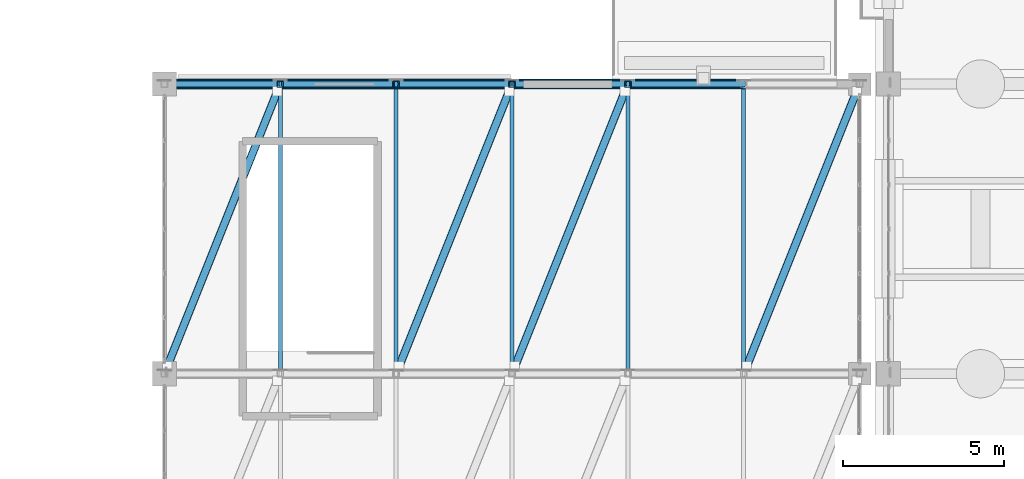
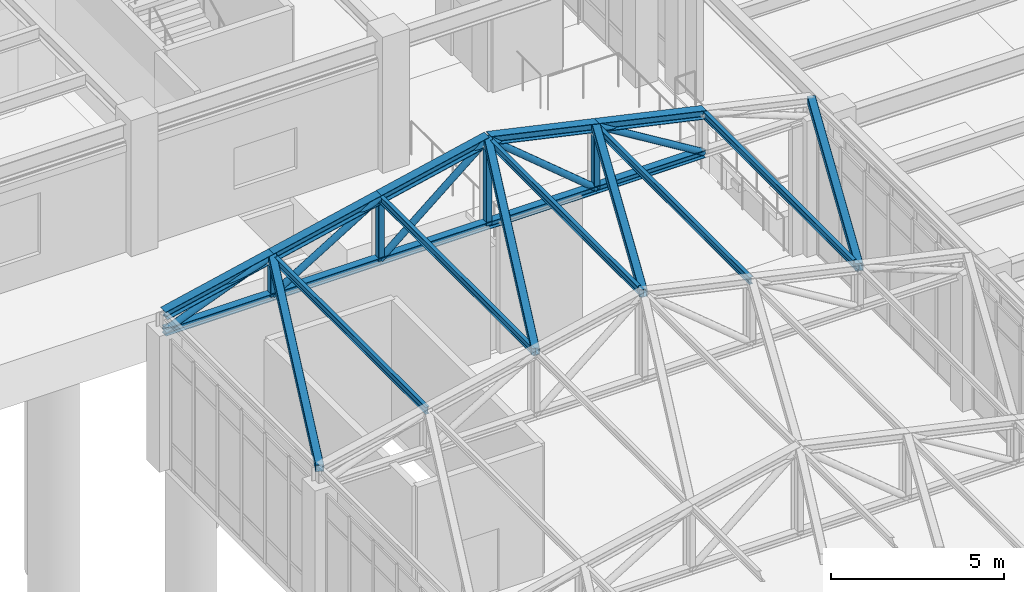
# One storey, part 62 of 139: 23 members, 5 beams.
"""IFC4 building model written with IfcOpenShell, lengths in metres."""

from ifc_helpers import new_model, si_unit, direction, frame, origin, origin_2d, place, context, subcontext, project, spatial, hollow_rectangle, hollow_circle, i_section, extrude, material, material_profile, profile_set, type_object, element, save


model = new_model("IFC4")

# Units and contexts
model_context = context("Model", 3, precision=1e-05, world=origin(), true_north=direction((0.0, 1.0)))
body_context = subcontext(model_context, "Body", "Model", "MODEL_VIEW")
ifc_project = project(units=[si_unit("LENGTHUNIT", "METRE"), si_unit("AREAUNIT", "SQUARE_METRE"), si_unit("VOLUMEUNIT", "CUBIC_METRE"), si_unit("PLANEANGLEUNIT", "RADIAN"), si_unit("MASSUNIT", "GRAM", prefix="KILO")], contexts=[model_context])

# Site, building, storey
site_placement = place(None, origin())
site = spatial("IfcSite", under=ifc_project, at=site_placement, CompositionType="ELEMENT")
building_placement = place(site_placement, origin())
building = spatial("IfcBuilding", under=site, at=building_placement, Name="Canglan Escarpment Cableway Terminal", CompositionType="ELEMENT")
storey_placement = place(building_placement, frame((0.0, 0.0, 14.39990234375)))
storey = spatial("IfcBuildingStorey", under=building, at=storey_placement, Name="L03", CompositionType="ELEMENT", Elevation=14.39990234375)

# Beams
ifc_material = material(Name="Steel Q355B", Category="steel")
ifc_material_profile_1 = material_profile(ifc_material, i_section(OverallWidth=0.300048828125, OverallDepth=0.300048828125, WebThickness=0.010009765625, FlangeThickness=0.014892578125, FilletRadius=0.01806640625, at=origin_2d()), Name="HW 300x300x10x15")
ifc_profile_set_1 = profile_set([ifc_material_profile_1], Name="Steel Q355B")
beam_type = type_object("IfcBeamType", Name="BM-PRATT-TOP-HW300", PredefinedType="BEAM", material=ifc_profile_set_1)
beam_1_placement = place(storey_placement, frame((115.10009765625, 79.0, 5.25), z_axis=(0.976182386713, 0.0, 0.216951487369), x_axis=(0.0, 1.0, 0.0)))
element("IfcBeam", 1, at=beam_1_placement, inside=storey, type_object=beam_type, Name="Cabin Garage ROOF TRUSS top chord PT-TC1", PredefinedType="BEAM", context=body_context, shape_type="SweptSolid", body=[
    extrude(i_section(OverallWidth=0.300048828125, OverallDepth=0.300048828125, WebThickness=0.010009765625, FlangeThickness=0.014892578125, FilletRadius=0.01806640625, at=origin_2d()), origin(), (0.0, 0.0, 1.0), 3.687744140625),
])
beam_2_placement = place(storey_placement, frame((118.699951171875, 79.0, 6.050048828125), z_axis=(0.976185502511, 0.0, 0.216937467227), x_axis=(0.0, 1.0, 0.0)))
element("IfcBeam", 2, at=beam_2_placement, inside=storey, type_object=beam_type, Name="Cabin Garage ROOF TRUSS top chord PT-TC1", PredefinedType="BEAM", context=body_context, shape_type="SweptSolid", body=[
    extrude(i_section(OverallWidth=0.300048828125, OverallDepth=0.300048828125, WebThickness=0.010009765625, FlangeThickness=0.014892578125, FilletRadius=0.01806640625, at=origin_2d()), origin(), (0.0, 0.0, 1.0), 3.68798828125),
])
beam_3_placement = place(storey_placement, frame((122.300048828125, 79.0, 6.85009765625), z_axis=(0.976182386713, 0.0, 0.216951487369), x_axis=(0.0, 1.0, 0.0)))
element("IfcBeam", 3, at=beam_3_placement, inside=storey, type_object=beam_type, Name="Cabin Garage ROOF TRUSS top chord PT-TC1", PredefinedType="BEAM", context=body_context, shape_type="SweptSolid", body=[
    extrude(i_section(OverallWidth=0.300048828125, OverallDepth=0.300048828125, WebThickness=0.010009765625, FlangeThickness=0.014892578125, FilletRadius=0.01806640625, at=origin_2d()), origin(), (0.0, 0.0, 1.0), 3.687744140625),
])
for number, where, z_axis, x_axis, name in (
    (4, (125.89990234375, 79.0, 7.650146484375), (0.976185502511, 0.0, -0.216937467227), (0.0, 1.0, 0.0), "Cabin Garage ROOF TRUSS top chord PT-TC1"),
    (5, (129.5, 79.0, 6.85009765625), (0.976185502511, 0.0, -0.216937467227), (0.0, 1.0, 0.0), "Cabin Garage ROOF TRUSS top chord PT-TC1"),
):
    element("IfcBeam", number, at=place(storey_placement, frame(where, z_axis=z_axis, x_axis=x_axis)), inside=storey, type_object=beam_type, Name=name, PredefinedType="BEAM", context=body_context, shape_type="SweptSolid", body=[
        extrude(i_section(OverallWidth=0.300048828125, OverallDepth=0.300048828125, WebThickness=0.010009765625, FlangeThickness=0.014892578125, FilletRadius=0.01806640625, at=origin_2d()), origin(), (0.0, 0.0, 1.0), 3.68798828125),
    ])

# Members
ifc_material_profile_2 = material_profile(ifc_material, hollow_rectangle(XDim=0.25, YDim=0.25, WallThickness=0.010009765625, InnerFilletRadius=0.010009765625, OuterFilletRadius=0.02001953125, at=origin_2d()), Name="SHS 250x250x10")
ifc_profile_set_2 = profile_set([ifc_material_profile_2], Name="Steel Q355B")
member_type_1 = type_object("IfcMemberType", Name="MB-FRAME-BR-SHS250", PredefinedType="BRACE", material=ifc_profile_set_2)
for number, where, z_axis, x_axis, name in (
    (6, (115.10009765625, 70.0, 5.25), (0.37011910414, 0.925335412344, 0.082257056919), (-0.928481901832, 0.371377648723, 0.0), "Cabin Garage roof lateral brace BR-02"),
    (7, (122.300048828125, 70.0, 6.85009765625), (0.37011910414, 0.925335412344, 0.082257056919), (-0.928481901832, 0.371377648723, 0.0), "Cabin Garage roof lateral brace BR-02"),
    (8, (125.89990234375, 70.0, 7.650146484375), (0.370140766583, 0.925326815361, -0.082256292696), (-0.928473216852, 0.37139936132, 0.0), "Cabin Garage roof lateral brace BR-02"),
    (9, (133.10009765625, 70.0, 6.050048828125), (0.37011910414, 0.925335412344, -0.082257056919), (-0.928481901832, 0.371377648723, 0.0), "Cabin Garage roof lateral brace BR-02"),
):
    element("IfcMember", number, at=place(storey_placement, frame(where, z_axis=z_axis, x_axis=x_axis)), inside=storey, type_object=member_type_1, Name=name, PredefinedType="BRACE", context=body_context, shape_type="SweptSolid", body=[
        extrude(hollow_rectangle(XDim=0.25, YDim=0.25, WallThickness=0.010009765625, InnerFilletRadius=0.010009765625, OuterFilletRadius=0.02001953125, at=origin_2d()), origin(), (0.0, 0.0, 1.0), 9.726318359375),
    ])
ifc_material_profile_3 = material_profile(ifc_material, i_section(OverallWidth=0.125, OverallDepth=0.25, WebThickness=0.006103515625, FlangeThickness=0.009033203125, FilletRadius=0.011962890625, at=origin_2d()), Name="HN 250x125x6x9")
ifc_profile_set_3 = profile_set([ifc_material_profile_3], Name="Steel Q355B")
member_type_2 = type_object("IfcMemberType", Name="MB-GARAGE-PUR-HN250", PredefinedType="PURLIN", material=ifc_profile_set_3)
for number, where, z_axis, x_axis, name in (
    (10, (118.699951171875, 70.0, 6.030029296875), (0.0, 1.0, 0.0), (-1.0, 0.0, 0.0), "Cabin Garage roof purlin PR-02"),
    (11, (122.300048828125, 70.0, 6.830078125), (0.0, 1.0, 0.0), (-1.0, 0.0, 0.0), "Cabin Garage roof purlin PR-02"),
    (12, (125.89990234375, 70.0, 7.630126953125), (0.0, 1.0, 0.0), (-1.0, 0.0, 0.0), "Cabin Garage roof purlin PR-02"),
    (13, (129.5, 70.0, 6.830078125), (0.0, 1.0, 0.0), (-1.0, 0.0, 0.0), "Cabin Garage roof purlin PR-02"),
    (14, (133.10009765625, 70.0, 6.030029296875), (0.0, 1.0, 0.0), (-1.0, 0.0, 0.0), "Cabin Garage roof purlin PR-02"),
):
    element("IfcMember", number, at=place(storey_placement, frame(where, z_axis=z_axis, x_axis=x_axis)), inside=storey, type_object=member_type_2, Name=name, PredefinedType="PURLIN", context=body_context, shape_type="SweptSolid", body=[
        extrude(i_section(OverallWidth=0.125, OverallDepth=0.25, WebThickness=0.006103515625, FlangeThickness=0.009033203125, FilletRadius=0.011962890625, at=origin_2d()), origin(), (0.0, 0.0, 1.0), 9.0),
    ])
ifc_material_profile_4 = material_profile(ifc_material, i_section(OverallWidth=0.25, OverallDepth=0.25, WebThickness=0.009033203125, FlangeThickness=0.013916015625, FilletRadius=0.01611328125, at=origin_2d()), Name="HW 250x250x9x14")
ifc_profile_set_4 = profile_set([ifc_material_profile_4], Name="Steel Q355B")
member_type_3 = type_object("IfcMemberType", Name="MB-PRATT-BOT-HW250", PredefinedType="CHORD", material=ifc_profile_set_4)
member_1_placement = place(storey_placement, frame((115.10009765625, 79.0, 4.650146484375), z_axis=(1.0, 0.0, 0.0), x_axis=(0.0, 1.0, 0.0)))
element("IfcMember", 15, at=member_1_placement, inside=storey, type_object=member_type_3, Name="Cabin Garage ROOF TRUSS bottom chord PT-BC1", PredefinedType="CHORD", context=body_context, shape_type="SweptSolid", body=[
    extrude(i_section(OverallWidth=0.25, OverallDepth=0.25, WebThickness=0.009033203125, FlangeThickness=0.013916015625, FilletRadius=0.01611328125, at=origin_2d()), origin(), (0.0, 0.0, 1.0), 3.599853515625),
])
member_2_placement = place(storey_placement, frame((118.699951171875, 79.0, 4.650146484375), z_axis=(1.0, 0.0, 0.0), x_axis=(0.0, 1.0, 0.0)))
element("IfcMember", 16, at=member_2_placement, inside=storey, type_object=member_type_3, Name="Cabin Garage ROOF TRUSS bottom chord PT-BC1", PredefinedType="CHORD", context=body_context, shape_type="SweptSolid", body=[
    extrude(i_section(OverallWidth=0.25, OverallDepth=0.25, WebThickness=0.009033203125, FlangeThickness=0.013916015625, FilletRadius=0.01611328125, at=origin_2d()), origin(), (0.0, 0.0, 1.0), 3.60009765625),
])
member_3_placement = place(storey_placement, frame((122.300048828125, 79.0, 4.650146484375), z_axis=(1.0, 0.0, 0.0), x_axis=(0.0, 1.0, 0.0)))
element("IfcMember", 17, at=member_3_placement, inside=storey, type_object=member_type_3, Name="Cabin Garage ROOF TRUSS bottom chord PT-BC1", PredefinedType="CHORD", context=body_context, shape_type="SweptSolid", body=[
    extrude(i_section(OverallWidth=0.25, OverallDepth=0.25, WebThickness=0.009033203125, FlangeThickness=0.013916015625, FilletRadius=0.01611328125, at=origin_2d()), origin(), (0.0, 0.0, 1.0), 3.599853515625),
])
for number, where, z_axis, x_axis, name in (
    (18, (125.89990234375, 79.0, 4.650146484375), (1.0, 0.0, 0.0), (0.0, 1.0, 0.0), "Cabin Garage ROOF TRUSS bottom chord PT-BC1"),
    (19, (129.5, 79.0, 4.650146484375), (1.0, 0.0, 0.0), (0.0, 1.0, 0.0), "Cabin Garage ROOF TRUSS bottom chord PT-BC1"),
):
    element("IfcMember", number, at=place(storey_placement, frame(where, z_axis=z_axis, x_axis=x_axis)), inside=storey, type_object=member_type_3, Name=name, PredefinedType="CHORD", context=body_context, shape_type="SweptSolid", body=[
        extrude(i_section(OverallWidth=0.25, OverallDepth=0.25, WebThickness=0.009033203125, FlangeThickness=0.013916015625, FilletRadius=0.01611328125, at=origin_2d()), origin(), (0.0, 0.0, 1.0), 3.60009765625),
    ])
ifc_material_profile_5 = material_profile(ifc_material, hollow_circle(Radius=0.109619140625, WallThickness=0.008056640625, at=origin_2d()), Name="CHS 219.1x8")
ifc_profile_set_5 = profile_set([ifc_material_profile_5], Name="Steel Q355B")
member_type_4 = type_object("IfcMemberType", Name="MB-PRATT-DIAG-CHS219", PredefinedType="BRACE", material=ifc_profile_set_5)
member_4_placement = place(storey_placement, frame((115.10009765625, 79.0, 4.650146484375), z_axis=(0.932008230148, 0.0, 0.36243711032), x_axis=(0.0, 1.0, 0.0)))
element("IfcMember", 20, at=member_4_placement, inside=storey, type_object=member_type_4, Name="Cabin Garage ROOF TRUSS diagonal PT-DG1", PredefinedType="BRACE", context=body_context, shape_type="SweptSolid", body=[
    extrude(hollow_circle(Radius=0.109619140625, WallThickness=0.008056640625, at=origin_2d()), origin(), (0.0, 0.0, 1.0), 3.862548828125),
])
member_5_placement = place(storey_placement, frame((118.699951171875, 79.0, 4.650146484375), z_axis=(0.853293276627, 0.0, 0.521431284124), x_axis=(0.0, 1.0, 0.0)))
element("IfcMember", 21, at=member_5_placement, inside=storey, type_object=member_type_4, Name="Cabin Garage ROOF TRUSS diagonal PT-DG1", PredefinedType="BRACE", context=body_context, shape_type="SweptSolid", body=[
    extrude(hollow_circle(Radius=0.109619140625, WallThickness=0.008056640625, at=origin_2d()), origin(), (0.0, 0.0, 1.0), 4.218994140625),
])
member_6_placement = place(storey_placement, frame((122.300048828125, 79.0, 4.650146484375), z_axis=(0.768208468069, 0.0, 0.640199773186), x_axis=(0.0, 1.0, 0.0)))
element("IfcMember", 22, at=member_6_placement, inside=storey, type_object=member_type_4, Name="Cabin Garage ROOF TRUSS diagonal PT-DG1", PredefinedType="BRACE", context=body_context, shape_type="SweptSolid", body=[
    extrude(hollow_circle(Radius=0.109619140625, WallThickness=0.008056640625, at=origin_2d()), origin(), (0.0, 0.0, 1.0), 4.68603515625),
])
member_7_placement = place(storey_placement, frame((125.89990234375, 79.0, 7.650146484375), z_axis=(0.768229820104, 0.0, -0.640174150918), x_axis=(0.0, 1.0, 0.0)))
element("IfcMember", 23, at=member_7_placement, inside=storey, type_object=member_type_4, Name="Cabin Garage ROOF TRUSS diagonal PT-DG1", PredefinedType="BRACE", context=body_context, shape_type="SweptSolid", body=[
    extrude(hollow_circle(Radius=0.109619140625, WallThickness=0.008056640625, at=origin_2d()), origin(), (0.0, 0.0, 1.0), 4.686279296875),
])
member_8_placement = place(storey_placement, frame((129.5, 79.0, 6.85009765625), z_axis=(0.853293276627, 0.0, -0.521431284124), x_axis=(0.0, 1.0, 0.0)))
element("IfcMember", 24, at=member_8_placement, inside=storey, type_object=member_type_4, Name="Cabin Garage ROOF TRUSS diagonal PT-DG1", PredefinedType="BRACE", context=body_context, shape_type="SweptSolid", body=[
    extrude(hollow_circle(Radius=0.109619140625, WallThickness=0.008056640625, at=origin_2d()), origin(), (0.0, 0.0, 1.0), 4.218994140625),
])
ifc_material_profile_6 = material_profile(ifc_material, hollow_rectangle(XDim=0.199951171875, YDim=0.199951171875, WallThickness=0.008056640625, InnerFilletRadius=0.008056640625, OuterFilletRadius=0.01611328125, at=origin_2d()), Name="SHS 200x200x8")
ifc_profile_set_6 = profile_set([ifc_material_profile_6], Name="Steel Q355B")
member_type_5 = type_object("IfcMemberType", Name="MB-PRATT-WEB-SHS200", PredefinedType="BRACE", material=ifc_profile_set_6)
member_9_placement = place(storey_placement, frame((118.699951171875, 79.0, 4.650146484375), z_axis=(0.0, 0.0, 1.0), x_axis=(1.0, 0.0, 0.0)))
element("IfcMember", 25, at=member_9_placement, inside=storey, type_object=member_type_5, Name="Cabin Garage ROOF TRUSS strut PT-WB1", PredefinedType="BRACE", context=body_context, shape_type="SweptSolid", body=[
    extrude(hollow_rectangle(XDim=0.199951171875, YDim=0.199951171875, WallThickness=0.008056640625, InnerFilletRadius=0.008056640625, OuterFilletRadius=0.01611328125, at=origin_2d()), origin(), (0.0, 0.0, 1.0), 1.39990234375),
])
member_10_placement = place(storey_placement, frame((122.300048828125, 79.0, 4.650146484375), z_axis=(0.0, 0.0, 1.0), x_axis=(1.0, 0.0, 0.0)))
element("IfcMember", 26, at=member_10_placement, inside=storey, type_object=member_type_5, Name="Cabin Garage ROOF TRUSS strut PT-WB1", PredefinedType="BRACE", context=body_context, shape_type="SweptSolid", body=[
    extrude(hollow_rectangle(XDim=0.199951171875, YDim=0.199951171875, WallThickness=0.008056640625, InnerFilletRadius=0.008056640625, OuterFilletRadius=0.01611328125, at=origin_2d()), origin(), (0.0, 0.0, 1.0), 2.199951171875),
])
member_11_placement = place(storey_placement, frame((125.89990234375, 79.0, 4.650146484375), z_axis=(0.0, 0.0, 1.0), x_axis=(1.0, 0.0, 0.0)))
element("IfcMember", 27, at=member_11_placement, inside=storey, type_object=member_type_5, Name="Cabin Garage ROOF TRUSS strut PT-WB1", PredefinedType="BRACE", context=body_context, shape_type="SweptSolid", body=[
    extrude(hollow_rectangle(XDim=0.199951171875, YDim=0.199951171875, WallThickness=0.008056640625, InnerFilletRadius=0.008056640625, OuterFilletRadius=0.01611328125, at=origin_2d()), origin(), (0.0, 0.0, 1.0), 3.0),
])
member_12_placement = place(storey_placement, frame((129.5, 79.0, 4.650146484375), z_axis=(0.0, 0.0, 1.0), x_axis=(1.0, 0.0, 0.0)))
element("IfcMember", 28, at=member_12_placement, inside=storey, type_object=member_type_5, Name="Cabin Garage ROOF TRUSS strut PT-WB1", PredefinedType="BRACE", context=body_context, shape_type="SweptSolid", body=[
    extrude(hollow_rectangle(XDim=0.199951171875, YDim=0.199951171875, WallThickness=0.008056640625, InnerFilletRadius=0.008056640625, OuterFilletRadius=0.01611328125, at=origin_2d()), origin(), (0.0, 0.0, 1.0), 2.199951171875),
])

save(model, "model.ifc")
